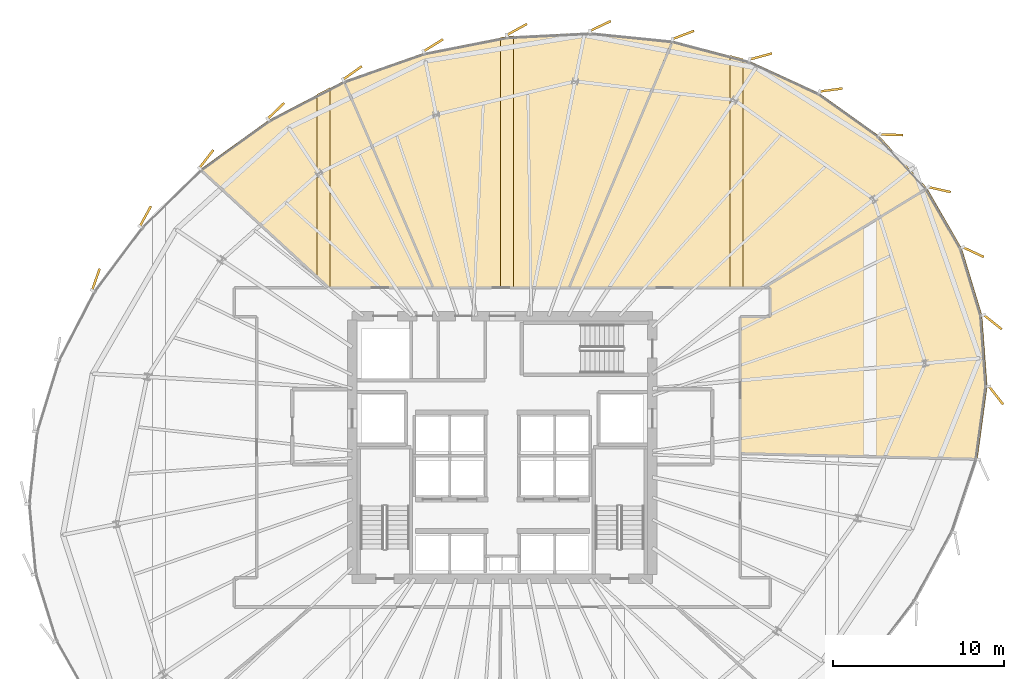
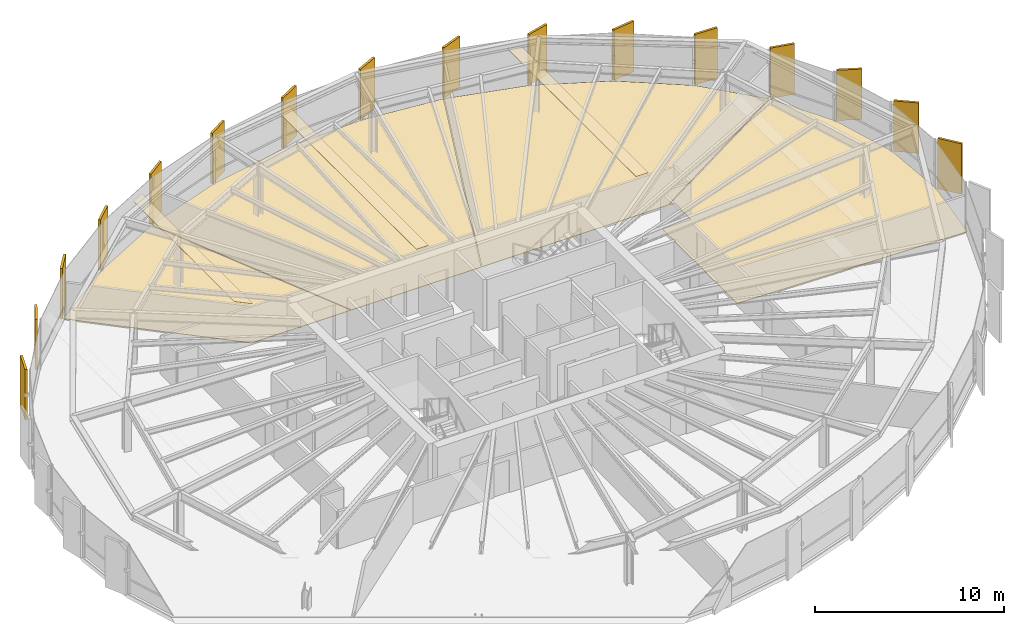
# One storey, part 34 of 34: 23 coverings.
"""IFC4 building model written with IfcOpenShell, lengths in metres."""

from ifc_helpers import new_model, si_unit, direction, frame, origin, origin_2d, place, context, subcontext, project, spatial, polyline, rectangle, outline, extrude, source, transform, mapped, material, layer, layer_set, type_object, element, save


model = new_model("IFC4")

# Units and contexts
model_context = context("Model", 3, precision=1e-05, world=origin(), true_north=direction((0.0, 1.0)))
body_context = subcontext(model_context, "Body", "Model", "MODEL_VIEW")
ifc_project = project(units=[si_unit("LENGTHUNIT", "METRE"), si_unit("AREAUNIT", "SQUARE_METRE"), si_unit("VOLUMEUNIT", "CUBIC_METRE"), si_unit("PLANEANGLEUNIT", "RADIAN"), si_unit("MASSUNIT", "GRAM", prefix="KILO"), si_unit("THERMODYNAMICTEMPERATUREUNIT", "KELVIN")], contexts=[model_context])

# Site, building, storey
site_placement = place(None, origin())
site = spatial("IfcSite", under=ifc_project, at=site_placement, CompositionType="ELEMENT")
building_placement = place(site_placement, origin())
building = spatial("IfcBuilding", under=site, at=building_placement, Name="Kethvar Cultural Tower", CompositionType="ELEMENT")
storey_placement = place(building_placement, frame((0.0, 0.0, 128.800048828125)))
storey = spatial("IfcBuildingStorey", under=building, at=storey_placement, Name="L32", CompositionType="ELEMENT", Elevation=128.800048828125)

# Coverings
ifc_material_1 = material(Name="Acoustic Mineral Fibre Ceiling")
ifc_layer_1 = layer(ifc_material_1, 0.0400390625, Name="Acoustic Mineral Fibre Ceiling")
ifc_layer_set_1 = layer_set([ifc_layer_1], Name="Acoustic Mineral Fibre Ceiling (40 mm)")
covering_type_1 = type_object("IfcCoveringType", Name="CV-ACOUSTIC-CEIL", PredefinedType="CEILING", material=ifc_layer_set_1)
covering_1_placement = place(storey_placement, frame((0.0, 0.0, 2.56005859375)))
element("IfcCovering", 1, at=covering_1_placement, inside=storey, type_object=covering_type_1, Name="L32 Room 05 Acoustic Ceiling Panel", PredefinedType="CEILING", context=body_context, shape_type="SweptSolid", body=[
    extrude(outline(polyline([(60.149169921875, 37.1298828125), (60.149169921875, 50.784912109375), (60.899169921875, 50.586669921875), (60.899169921875, 37.1298828125), (60.149169921875, 37.1298828125)])), origin(), (0.0, 0.0, 1.0), 0.039794921875),
])
covering_2_placement = place(storey_placement, frame((0.0, 0.0, 2.56005859375)))
element("IfcCovering", 2, at=covering_2_placement, inside=storey, type_object=covering_type_1, Name="L32 Room 06 Acoustic Ceiling Panel", PredefinedType="CEILING", context=body_context, shape_type="SweptSolid", body=[
    extrude(outline(polyline([(46.707763671875, 51.841796875), (47.457763671875, 51.932861328125), (47.457763671875, 37.1298828125), (46.707763671875, 37.1298828125), (46.707763671875, 51.841796875)])), origin(), (0.0, 0.0, 1.0), 0.039794921875),
])
covering_3_placement = place(storey_placement, frame((0.0, 0.0, 2.56005859375)))
element("IfcCovering", 3, at=covering_3_placement, inside=storey, type_object=covering_type_1, Name="L32 Room 07 Acoustic Ceiling Panel", PredefinedType="CEILING", context=body_context, shape_type="SweptSolid", body=[
    extrude(outline(polyline([(36.693115234375, 48.890380859375), (36.693115234375, 37.1298828125), (36.653076171875, 37.1298828125), (35.943115234375, 37.77685546875), (35.943115234375, 48.5), (36.693115234375, 48.890380859375)])), origin(), (0.0, 0.0, 1.0), 0.039794921875),
])
ifc_material_2 = material(Name="Honed Warm Limestone", Category="masonry")
ifc_layer_2 = layer(ifc_material_2, 0.030029296875, Name="Honed Warm Limestone", Category="masonry")
ifc_layer_set_2 = layer_set([ifc_layer_2], Name="Honed Warm Limestone (30 mm)")
covering_type_2 = type_object("IfcCoveringType", Name="CV-STONE-FLOOR", PredefinedType="FLOORING", material=ifc_layer_set_2)
covering_4_placement = place(storey_placement, origin())
element("IfcCovering", 4, at=covering_4_placement, inside=storey, type_object=covering_type_2, Name="L32 Room 04 Floor Finish", PredefinedType="FLOORING", context=body_context, shape_type="SweptSolid", body=[
    extrude(outline(polyline([(75.220703125, 31.382080078125), (74.6455078125, 27.121337890625), (60.77001953125, 27.469482421875), (60.77001953125, 35.429931640625), (62.510986328125, 35.433349609375), (62.51953125, 37.15380859375), (62.18359375, 37.169921875), (71.699462890625, 42.98046875), (73.728515625, 39.452880859375), (74.916259765625, 35.54150390625), (75.220703125, 31.382080078125)])), origin(), (0.0, 0.0, 1.0), 0.030029296875),
])
covering_5_placement = place(storey_placement, origin())
element("IfcCovering", 5, at=covering_5_placement, inside=storey, type_object=covering_type_2, Name="L32 Room 05 Floor Finish", PredefinedType="FLOORING", context=body_context, shape_type="SweptSolid", body=[
    extrude(outline(polyline([(61.273193359375, 50.4462890625), (65.353759765625, 48.572265625), (68.86669921875, 46.065673828125), (71.67529296875, 43.0126953125), (62.10693359375, 37.169921875), (50.73681640625, 37.169921875), (56.78076171875, 51.634033203125), (61.273193359375, 50.4462890625)])), origin(), (0.0, 0.0, 1.0), 0.030029296875),
])
covering_6_placement = place(storey_placement, origin())
element("IfcCovering", 6, at=covering_6_placement, inside=storey, type_object=covering_type_2, Name="L32 Room 06 Floor Finish", PredefinedType="FLOORING", context=body_context, shape_type="SweptSolid", body=[
    extrude(outline(polyline([(42.208740234375, 50.91650390625), (47.079833984375, 51.8740234375), (51.982666015625, 52.117431640625), (56.740234375, 51.640625), (50.693603515625, 37.169921875), (42.76708984375, 37.169921875), (37.528076171875, 49.27685546875), (42.208740234375, 50.91650390625)])), origin(), (0.0, 0.0, 1.0), 0.030029296875),
])
covering_7_placement = place(storey_placement, origin())
element("IfcCovering", 7, at=covering_7_placement, inside=storey, type_object=covering_type_2, Name="L32 Room 07 Floor Finish", PredefinedType="FLOORING", context=body_context, shape_type="SweptSolid", body=[
    extrude(outline(polyline([(33.10107421875, 46.975341796875), (37.4912109375, 49.260986328125), (42.723388671875, 37.169921875), (36.660888671875, 37.169921875), (29.128173828125, 44.111083984375), (33.10107421875, 46.975341796875)])), origin(), (0.0, 0.0, 1.0), 0.030029296875),
])
ifc_material_3 = material(Name="Extruded Architectural Terracotta", Category="masonry")
ifc_layer_3 = layer(ifc_material_3, 0.135009765625, Name="Extruded Architectural Terracotta", Category="masonry")
ifc_layer_set_3 = layer_set([ifc_layer_3], Name="Extruded Architectural Terracotta (135 mm)")
covering_type_3 = type_object("IfcCoveringType", Name="Terracotta Facade Fin FIN-02", PredefinedType="CLADDING", material=ifc_layer_set_3)
shared_shape = source(origin(), body_context, "Body", "SweptSolid", [
    extrude(rectangle(XDim=1.35009765625, YDim=0.135009765625, at=origin_2d()), origin(), (0.0, 0.0, 1.0), 3.260009765625),
])
for number, where, z_axis, x_axis, name in (
    (8, (74.40869140625, 39.24951171875, 0.02001953125), (0.0, 0.0, 1.0), (0.906234012432, -0.422776435852, 0.0), "L32 Vertical Terracotta Fin 1.1"),
    (9, (72.424072265625, 42.9150390625, 0.02001953125), (0.0, 0.0, 1.0), (0.975878673897, -0.21831356768, 0.0), "L32 Vertical Terracotta Fin 1.2"),
    (10, (69.601318359375, 46.12646484375, 0.02001953125), (0.0, 0.0, 1.0), (0.999585368194, -0.028793952368, 0.0), "L32 Vertical Terracotta Fin 1.3"),
    (11, (66.06640625, 48.751220703125, 0.02001953125), (0.0, 0.0, 1.0), (0.991284653659, 0.131737372908, 0.0), "L32 Vertical Terracotta Fin 1.4"),
    (12, (61.952392578125, 50.7177734375, 0.02001953125), (0.0, 0.0, 1.0), (0.965744901133, 0.259493325415, 0.0), "L32 Vertical Terracotta Fin 1.5"),
    (13, (57.40771484375, 51.977783203125, 0.02001953125), (0.0, 0.0, 1.0), (0.934391133833, 0.356248802122, 0.0), "L32 Vertical Terracotta Fin 1.6"),
    (14, (52.55029296875, 52.50390625, 0.02001953125), (0.0, 0.0, 1.0), (0.904082549661, 0.427357863387, 0.0), "L32 Vertical Terracotta Fin 2.1"),
    (15, (47.653564453125, 52.297607421875, 0.02001953125), (0.0, 0.0, 1.0), (0.876306680044, 0.481753674102, 0.0), "L32 Vertical Terracotta Fin 2.2"),
    (16, (42.75048828125, 51.367431640625, 0.02001953125), (0.0, 0.0, 1.0), (0.849524601357, 0.527549004064, 0.0), "L32 Vertical Terracotta Fin 2.3"),
    (17, (38.013671875, 49.75146484375, 0.02001953125), (0.0, 0.0, 1.0), (0.814115518356, 0.580702955711, 0.0), "L32 Vertical Terracotta Fin 2.4"),
    (18, (33.531005859375, 47.5244140625, 0.02001953125), (0.0, 0.0, 1.0), (0.721881018878, 0.692017192405, 0.0), "L32 Vertical Terracotta Fin 2.5"),
    (19, (29.453125, 44.70458984375, 0.02001953125), (0.0, 0.0, 1.0), (0.61125081382, 0.791436947965, 0.0), "L32 Vertical Terracotta Fin 2.6"),
    (20, (25.877685546875, 41.346435546875, 0.02001953125), (0.0, 0.0, 1.0), (0.480835743909, 0.876810690731, 0.0), "L32 Vertical Terracotta Fin 3.1"),
    (21, (22.978759765625, 37.643798828125, 0.02001953125), (0.0, 0.0, 1.0), (0.329855414859, 0.944031464141, 0.0), "L32 Vertical Terracotta Fin 3.2"),
    (22, (75.736572265625, 30.85595703125, 0.02001953125), (0.0, 0.0, 1.0), (0.616211460536, -0.787580748815, 0.0), "L32 Vertical Terracotta Fin 6.5"),
    (23, (75.5419921875, 35.14990234375, 0.02001953125), (0.0, 0.0, 1.0), (0.78445174743, -0.620189854765, 0.0), "L32 Vertical Terracotta Fin 6.6"),
):
    element("IfcCovering", number, at=place(storey_placement, frame(where, z_axis=z_axis, x_axis=x_axis)), inside=storey, type_object=covering_type_3, Name=name, PredefinedType="CLADDING", context=body_context, shape_type="MappedRepresentation", body=[
        mapped(shared_shape, transform((0.0, 0.0, 0.0), scale=1.0)),
    ])

save(model, "model.ifc")
